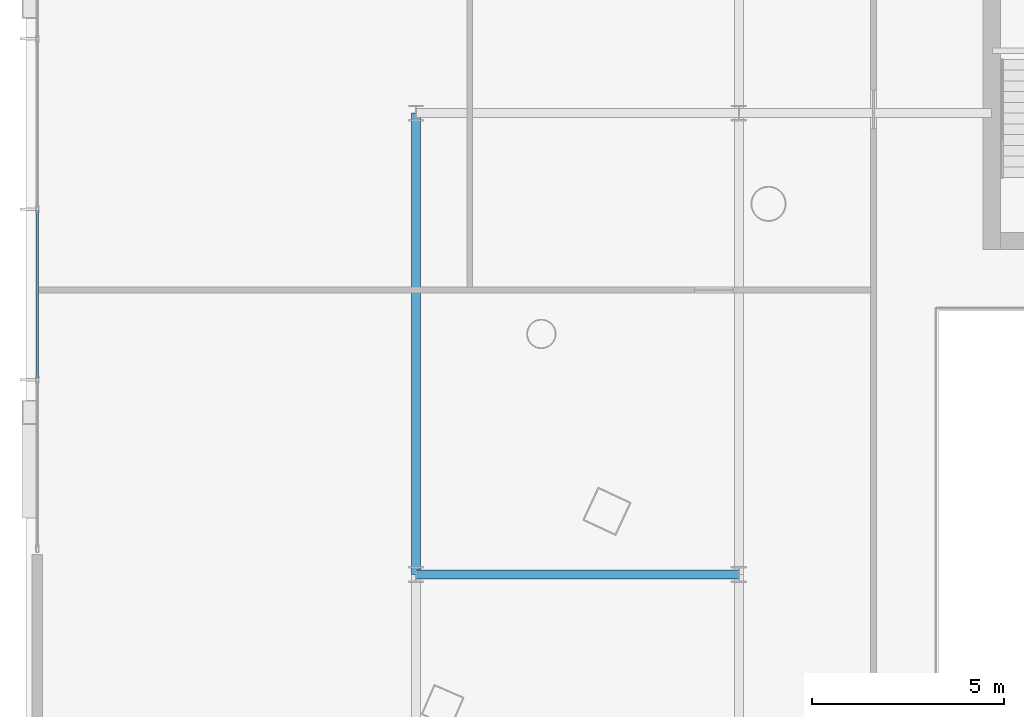
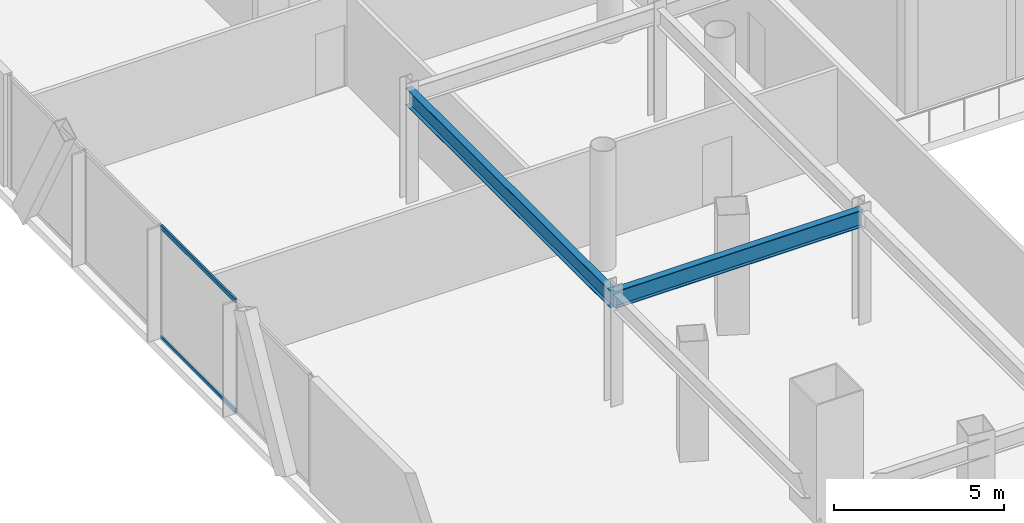
# One storey, part 11 of 42: 2 beams, 2 members, 1 element without a shape of its own.
"""IFC4 building model written with IfcOpenShell, lengths in metres."""

from ifc_helpers import new_model, si_unit, direction, frame, origin, origin_2d, place, context, subcontext, project, spatial, hollow_rectangle, i_section, extrude, material, layer, layer_set, material_profile, profile_set, type_object, element, aggregate, save


model = new_model("IFC4")

# Units and contexts
model_context = context("Model", 3, precision=1e-05, world=origin(), true_north=direction((0.0, 1.0)))
body_context = subcontext(model_context, "Body", "Model", "MODEL_VIEW")
ifc_project = project(units=[si_unit("LENGTHUNIT", "METRE"), si_unit("AREAUNIT", "SQUARE_METRE"), si_unit("VOLUMEUNIT", "CUBIC_METRE"), si_unit("PLANEANGLEUNIT", "RADIAN"), si_unit("MASSUNIT", "GRAM", prefix="KILO")], contexts=[model_context])

# Site, building, storey
site_placement = place(None, origin())
site = spatial("IfcSite", under=ifc_project, at=site_placement, CompositionType="ELEMENT")
building_placement = place(site_placement, origin())
building = spatial("IfcBuilding", under=site, at=building_placement, Name="Orvanel Arch Residences", CompositionType="ELEMENT")
storey_placement = place(building_placement, frame((0.0, 0.0, 9.800048828125)))
storey = spatial("IfcBuildingStorey", under=building, at=storey_placement, Name="L02", CompositionType="ELEMENT", Elevation=9.800048828125)

# Beams
ifc_material_1 = material(Name="Structural steel AS/NZS 3679.1 Grade 300 (300 MPa)", Category="steel")
ifc_material_profile_1 = material_profile(ifc_material_1, i_section(OverallWidth=0.22900390625, OverallDepth=0.612060546875, WebThickness=0.011962890625, FlangeThickness=0.01953125, at=origin_2d()), Name="610UB125")
ifc_profile_set_1 = profile_set([ifc_material_profile_1], Name="Structural steel AS/NZS 3679.1 Grade 300 (300 MPa)")
beam_type = type_object("IfcBeamType", Name="BG-610UB", PredefinedType="BEAM", material=ifc_profile_set_1)
beam_1_placement = place(storey_placement, frame((11.39990234375, 18.0, 3.7138671875), z_axis=(1.0, 0.0, 0.0), x_axis=(0.0, 1.0, 0.0)))
element("IfcBeam", 1, at=beam_1_placement, inside=storey, type_object=beam_type, Name="L02 BG-610UB beam", PredefinedType="BEAM", context=body_context, shape_type="SweptSolid", body=[
    extrude(i_section(OverallWidth=0.22900390625, OverallDepth=0.612060546875, WebThickness=0.011962890625, FlangeThickness=0.01953125, at=origin_2d()), origin(), (0.0, 0.0, 1.0), 8.400146484375),
])
beam_2_placement = place(storey_placement, frame((11.39990234375, 18.0, 3.7138671875), z_axis=(0.0, 1.0, 0.0), x_axis=(-1.0, 0.0, 0.0)))
element("IfcBeam", 2, at=beam_2_placement, inside=storey, type_object=beam_type, Name="L02 North-South Podium Girder XW11-M", PredefinedType="BEAM", context=body_context, shape_type="SweptSolid", body=[
    extrude(i_section(OverallWidth=0.22900390625, OverallDepth=0.612060546875, WebThickness=0.011962890625, FlangeThickness=0.01953125, at=origin_2d()), origin(), (0.0, 0.0, 1.0), 12.0),
])

# Curtain wall, members
ifc_material_2 = material(Name="Bronze-anodised aluminium AA6063-T6", Category="aluminium")
ifc_layer = layer(ifc_material_2, 0.199951171875)
ifc_layer_set = layer_set([ifc_layer], Name="Bronze-anodised aluminium AA6063-T6")
curtain_wall_type = type_object("IfcCurtainWallType", Name="CW1-POD-SYS", PredefinedType="NOTDEFINED", material=ifc_layer_set)
curtain_wall_placement = place(storey_placement, origin())
curtain_wall = element("IfcCurtainWall", 3, at=curtain_wall_placement, inside=storey, type_object=curtain_wall_type, Name="L02 CW1-POD-SYS Unitised Curtain Wall", PredefinedType="NOTDEFINED")
ifc_material_profile_2 = material_profile(ifc_material_2, hollow_rectangle(XDim=0.06494140625, YDim=0.14990234375, WallThickness=0.00390625, at=origin_2d()), Name="ALU150x65x4")
ifc_profile_set_2 = profile_set([ifc_material_profile_2], Name="Bronze-anodised aluminium AA6063-T6")
member_type = type_object("IfcMemberType", Name="TRN-150x65", PredefinedType="USERDEFINED", material=ifc_profile_set_2)
member_1_placement = place(storey_placement, frame((1.550048828125, 27.46240234375, 0.032470703125), z_axis=(0.0, -1.0, 0.0), x_axis=(1.0, 0.0, 0.0)))
member_1 = element("IfcMember", 4, at=member_1_placement, type_object=member_type, Name="CW-S1 transom 3.1", ObjectType="TRANSOM", PredefinedType="USERDEFINED", context=body_context, shape_type="SweptSolid", body=[
    extrude(hollow_rectangle(XDim=0.06494140625, YDim=0.14990234375, WallThickness=0.00390625, at=origin_2d()), origin(), (0.0, 0.0, 1.0), 4.35498046875),
])
member_2_placement = place(storey_placement, frame((1.550048828125, 27.46240234375, 3.987548828125), z_axis=(0.0, -1.0, 0.0), x_axis=(1.0, 0.0, 0.0)))
member_2 = element("IfcMember", 5, at=member_2_placement, type_object=member_type, Name="CW-S1 transom 3.2", ObjectType="TRANSOM", PredefinedType="USERDEFINED", context=body_context, shape_type="SweptSolid", body=[
    extrude(hollow_rectangle(XDim=0.06494140625, YDim=0.14990234375, WallThickness=0.00390625, at=origin_2d()), origin(), (0.0, 0.0, 1.0), 4.35498046875),
])
aggregate(curtain_wall, [member_1, member_2])

save(model, "model.ifc")
